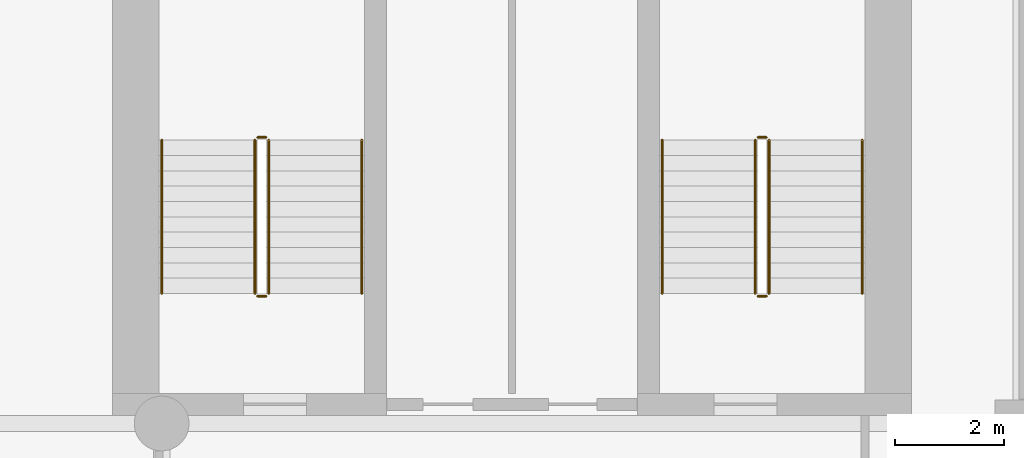
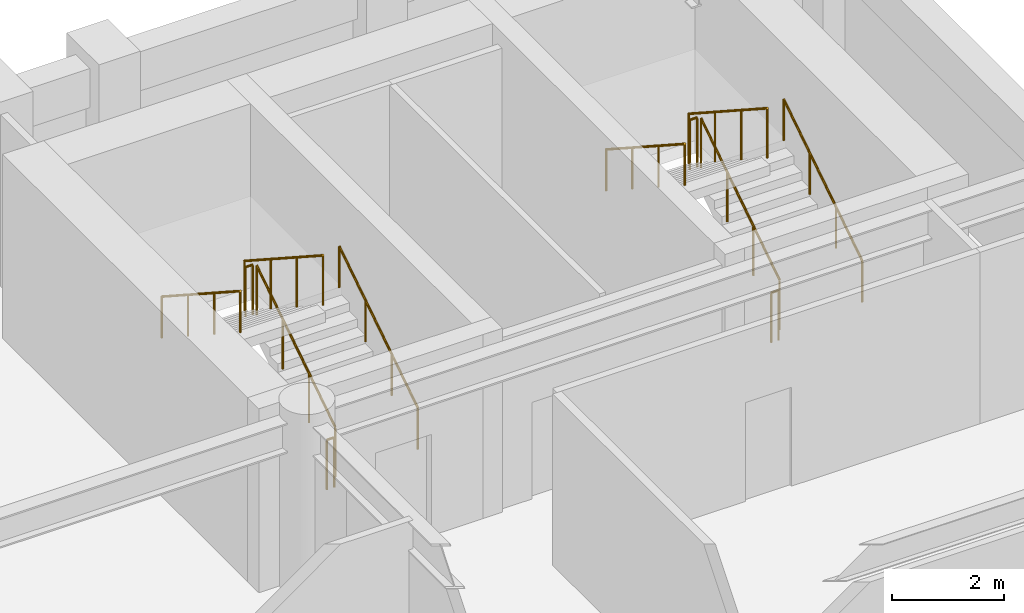
# One storey, part 9 of 9: 12 railings.
"""IFC4 building model written with IfcOpenShell, lengths in metres."""

from ifc_helpers import new_model, si_unit, direction, frame, origin, origin_2d, place, context, subcontext, project, spatial, circle, extrude, material, type_object, element, save


model = new_model("IFC4")

# Units and contexts
model_context = context("Model", 3, precision=1e-05, world=origin(), true_north=direction((0.0, 1.0)))
body_context = subcontext(model_context, "Body", "Model", "MODEL_VIEW")
ifc_project = project(units=[si_unit("LENGTHUNIT", "METRE"), si_unit("AREAUNIT", "SQUARE_METRE"), si_unit("VOLUMEUNIT", "CUBIC_METRE"), si_unit("PLANEANGLEUNIT", "RADIAN"), si_unit("MASSUNIT", "GRAM", prefix="KILO")], contexts=[model_context])

# Site, building, storey
site_placement = place(None, origin())
site = spatial("IfcSite", under=ifc_project, at=site_placement, CompositionType="ELEMENT")
building_placement = place(site_placement, origin())
building = spatial("IfcBuilding", under=site, at=building_placement, Name="Sulina Concourse Tower", CompositionType="ELEMENT")
storey_placement = place(building_placement, frame((0.0, 0.0, 96.60009765625)))
storey = spatial("IfcBuildingStorey", under=building, at=storey_placement, Name="L23", CompositionType="ELEMENT", Elevation=96.60009765625)

# Railings
ifc_material_1 = material(Name="Galvanised steel railing", Category="steel")
railing_type_1 = type_object("IfcRailingType", Name="Core Stair Steel Guardrail 1150mm", PredefinedType="GUARDRAIL", material=ifc_material_1)
railing_1_placement = place(storey_placement, frame((43.554931640625, 36.375, 0.181640625)))
element("IfcRailing", 1, at=railing_1_placement, inside=storey, type_object=railing_type_1, Name="L23 ST-3 stair guard 1", PredefinedType="GUARDRAIL", context=body_context, shape_type="SweptSolid", body=[
    extrude(circle(Radius=0.02392578125, at=origin_2d()), frame((0.0, 0.0, 1.076171875), z_axis=(0.0, 0.838672427954, 0.544636170843), x_axis=(-1.0, 0.0, 0.0)), (0.0, 0.0, 1.0), 3.338623046875),
    extrude(circle(Radius=0.02099609375, at=origin_2d()), origin(), (0.0, 0.0, 1.0), 1.052001953125),
    extrude(circle(Radius=0.02099609375, at=origin_2d()), frame((0.0, 0.933349609375, 0.606201171875)), (0.0, 0.0, 1.0), 1.052001953125),
    extrude(circle(Radius=0.02099609375, at=origin_2d()), frame((0.0, 1.86669921875, 1.212158203125)), (0.0, 0.0, 1.0), 1.052001953125),
    extrude(circle(Radius=0.02099609375, at=origin_2d()), frame((0.0, 2.800048828125, 1.818359375)), (0.0, 0.0, 1.0), 1.052001953125),
])
railing_2_placement = place(storey_placement, frame((43.5048828125, 39.22509765625, 2.0)))
element("IfcRailing", 2, at=railing_2_placement, inside=storey, type_object=railing_type_1, Name="L23 ST-3 stair guard 2", PredefinedType="GUARDRAIL", context=body_context, shape_type="SweptSolid", body=[
    extrude(circle(Radius=0.02392578125, at=origin_2d()), frame((0.0, 0.0, 1.076171875), z_axis=(-1.0, 0.0, 0.0), x_axis=(0.0, -1.0, 0.0)), (0.0, 0.0, 1.0), 0.14990234375),
    extrude(circle(Radius=0.02099609375, at=origin_2d()), origin(), (0.0, 0.0, 1.0), 1.052001953125),
    extrude(circle(Radius=0.02099609375, at=origin_2d()), frame((-0.14990234375, 0.0, 0.0)), (0.0, 0.0, 1.0), 1.052001953125),
])
railing_3_placement = place(storey_placement, frame((43.304931640625, 39.175048828125, 2.181640625)))
element("IfcRailing", 3, at=railing_3_placement, inside=storey, type_object=railing_type_1, Name="L23 ST-3 stair guard 3", PredefinedType="GUARDRAIL", context=body_context, shape_type="SweptSolid", body=[
    extrude(circle(Radius=0.02392578125, at=origin_2d()), frame((0.0, 0.0, 1.076171875), z_axis=(0.0, -0.838672427954, 0.544636170843), x_axis=(1.0, 0.0, 0.0)), (0.0, 0.0, 1.0), 3.338623046875),
    extrude(circle(Radius=0.02099609375, at=origin_2d()), origin(), (0.0, 0.0, 1.0), 1.052001953125),
    extrude(circle(Radius=0.02099609375, at=origin_2d()), frame((0.0, -0.933349609375, 0.606201171875)), (0.0, 0.0, 1.0), 1.052001953125),
    extrude(circle(Radius=0.02099609375, at=origin_2d()), frame((0.0, -1.86669921875, 1.212158203125)), (0.0, 0.0, 1.0), 1.052001953125),
    extrude(circle(Radius=0.02099609375, at=origin_2d()), frame((0.0, -2.800048828125, 1.818359375)), (0.0, 0.0, 1.0), 1.052001953125),
])
railing_4_placement = place(storey_placement, frame((43.5048828125, 36.324951171875, 0.0)))
element("IfcRailing", 4, at=railing_4_placement, inside=storey, type_object=railing_type_1, Name="L23 ST-3 stair guard 4", PredefinedType="GUARDRAIL", context=body_context, shape_type="SweptSolid", body=[
    extrude(circle(Radius=0.02392578125, at=origin_2d()), frame((0.0, 0.0, 1.076171875), z_axis=(-1.0, 0.0, 0.0), x_axis=(0.0, -1.0, 0.0)), (0.0, 0.0, 1.0), 0.14990234375),
    extrude(circle(Radius=0.02099609375, at=origin_2d()), origin(), (0.0, 0.0, 1.0), 1.052001953125),
    extrude(circle(Radius=0.02099609375, at=origin_2d()), frame((-0.14990234375, 0.0, 0.0)), (0.0, 0.0, 1.0), 1.052001953125),
])
railing_5_placement = place(storey_placement, frame((52.695068359375, 36.375, 0.181640625)))
element("IfcRailing", 5, at=railing_5_placement, inside=storey, type_object=railing_type_1, Name="L23 ST-4 stair guard 1", PredefinedType="GUARDRAIL", context=body_context, shape_type="SweptSolid", body=[
    extrude(circle(Radius=0.02392578125, at=origin_2d()), frame((0.0, 0.0, 1.076171875), z_axis=(0.0, 0.838672427954, 0.544636170843), x_axis=(-1.0, 0.0, 0.0)), (0.0, 0.0, 1.0), 3.338623046875),
    extrude(circle(Radius=0.02099609375, at=origin_2d()), origin(), (0.0, 0.0, 1.0), 1.052001953125),
    extrude(circle(Radius=0.02099609375, at=origin_2d()), frame((0.0, 0.933349609375, 0.606201171875)), (0.0, 0.0, 1.0), 1.052001953125),
    extrude(circle(Radius=0.02099609375, at=origin_2d()), frame((0.0, 1.86669921875, 1.212158203125)), (0.0, 0.0, 1.0), 1.052001953125),
    extrude(circle(Radius=0.02099609375, at=origin_2d()), frame((0.0, 2.800048828125, 1.818359375)), (0.0, 0.0, 1.0), 1.052001953125),
])
railing_6_placement = place(storey_placement, frame((52.64501953125, 39.22509765625, 2.0)))
element("IfcRailing", 6, at=railing_6_placement, inside=storey, type_object=railing_type_1, Name="L23 ST-4 stair guard 2", PredefinedType="GUARDRAIL", context=body_context, shape_type="SweptSolid", body=[
    extrude(circle(Radius=0.02392578125, at=origin_2d()), frame((0.0, 0.0, 1.076171875), z_axis=(-1.0, 0.0, 0.0), x_axis=(0.0, -1.0, 0.0)), (0.0, 0.0, 1.0), 0.14990234375),
    extrude(circle(Radius=0.02099609375, at=origin_2d()), origin(), (0.0, 0.0, 1.0), 1.052001953125),
    extrude(circle(Radius=0.02099609375, at=origin_2d()), frame((-0.14990234375, 0.0, 0.0)), (0.0, 0.0, 1.0), 1.052001953125),
])
railing_7_placement = place(storey_placement, frame((52.445068359375, 39.175048828125, 2.181640625)))
element("IfcRailing", 7, at=railing_7_placement, inside=storey, type_object=railing_type_1, Name="L23 ST-4 stair guard 3", PredefinedType="GUARDRAIL", context=body_context, shape_type="SweptSolid", body=[
    extrude(circle(Radius=0.02392578125, at=origin_2d()), frame((0.0, 0.0, 1.076171875), z_axis=(0.0, -0.838672427954, 0.544636170843), x_axis=(1.0, 0.0, 0.0)), (0.0, 0.0, 1.0), 3.338623046875),
    extrude(circle(Radius=0.02099609375, at=origin_2d()), origin(), (0.0, 0.0, 1.0), 1.052001953125),
    extrude(circle(Radius=0.02099609375, at=origin_2d()), frame((0.0, -0.933349609375, 0.606201171875)), (0.0, 0.0, 1.0), 1.052001953125),
    extrude(circle(Radius=0.02099609375, at=origin_2d()), frame((0.0, -1.86669921875, 1.212158203125)), (0.0, 0.0, 1.0), 1.052001953125),
    extrude(circle(Radius=0.02099609375, at=origin_2d()), frame((0.0, -2.800048828125, 1.818359375)), (0.0, 0.0, 1.0), 1.052001953125),
])
railing_8_placement = place(storey_placement, frame((52.64501953125, 36.324951171875, 0.0)))
element("IfcRailing", 8, at=railing_8_placement, inside=storey, type_object=railing_type_1, Name="L23 ST-4 stair guard 4", PredefinedType="GUARDRAIL", context=body_context, shape_type="SweptSolid", body=[
    extrude(circle(Radius=0.02392578125, at=origin_2d()), frame((0.0, 0.0, 1.076171875), z_axis=(-1.0, 0.0, 0.0), x_axis=(0.0, -1.0, 0.0)), (0.0, 0.0, 1.0), 0.14990234375),
    extrude(circle(Radius=0.02099609375, at=origin_2d()), origin(), (0.0, 0.0, 1.0), 1.052001953125),
    extrude(circle(Radius=0.02099609375, at=origin_2d()), frame((-0.14990234375, 0.0, 0.0)), (0.0, 0.0, 1.0), 1.052001953125),
])
ifc_material_2 = material(Name="Galvanised steel railing", Category="steel")
railing_type_2 = type_object("IfcRailingType", Name="Stair Wall Steel Handrail 920mm", PredefinedType="HANDRAIL", material=ifc_material_2)
railing_9_placement = place(storey_placement, frame((45.2548828125, 36.375, 0.181640625)))
element("IfcRailing", 9, at=railing_9_placement, inside=storey, type_object=railing_type_2, Name="L23 ST-3 stair handrail 1", PredefinedType="HANDRAIL", context=body_context, shape_type="SweptSolid", body=[
    extrude(circle(Radius=0.02392578125, at=origin_2d()), frame((0.0, 0.0, 0.89599609375), z_axis=(0.0, 0.838672427954, 0.544636170843), x_axis=(-1.0, 0.0, 0.0)), (0.0, 0.0, 1.0), 3.338623046875),
    extrude(circle(Radius=0.02099609375, at=origin_2d()), origin(), (0.0, 0.0, 1.0), 0.871826171875),
    extrude(circle(Radius=0.02099609375, at=origin_2d()), frame((0.0, 0.933349609375, 0.606201171875)), (0.0, 0.0, 1.0), 0.871826171875),
    extrude(circle(Radius=0.02099609375, at=origin_2d()), frame((0.0, 1.86669921875, 1.212158203125)), (0.0, 0.0, 1.0), 0.871826171875),
    extrude(circle(Radius=0.02099609375, at=origin_2d()), frame((0.0, 2.800048828125, 1.818359375)), (0.0, 0.0, 1.0), 0.871826171875),
])
railing_10_placement = place(storey_placement, frame((41.60498046875, 39.175048828125, 2.181640625)))
element("IfcRailing", 10, at=railing_10_placement, inside=storey, type_object=railing_type_2, Name="L23 ST-3 stair handrail 2", PredefinedType="HANDRAIL", context=body_context, shape_type="SweptSolid", body=[
    extrude(circle(Radius=0.02392578125, at=origin_2d()), frame((0.0, 0.0, 0.89599609375), z_axis=(0.0, -0.838672427954, 0.544636170843), x_axis=(1.0, 0.0, 0.0)), (0.0, 0.0, 1.0), 3.338623046875),
    extrude(circle(Radius=0.02099609375, at=origin_2d()), origin(), (0.0, 0.0, 1.0), 0.871826171875),
    extrude(circle(Radius=0.02099609375, at=origin_2d()), frame((0.0, -0.933349609375, 0.606201171875)), (0.0, 0.0, 1.0), 0.871826171875),
    extrude(circle(Radius=0.02099609375, at=origin_2d()), frame((0.0, -1.86669921875, 1.212158203125)), (0.0, 0.0, 1.0), 0.871826171875),
    extrude(circle(Radius=0.02099609375, at=origin_2d()), frame((0.0, -2.800048828125, 1.818359375)), (0.0, 0.0, 1.0), 0.871826171875),
])
railing_11_placement = place(storey_placement, frame((54.39501953125, 36.375, 0.181640625)))
element("IfcRailing", 11, at=railing_11_placement, inside=storey, type_object=railing_type_2, Name="L23 ST-4 stair handrail 1", PredefinedType="HANDRAIL", context=body_context, shape_type="SweptSolid", body=[
    extrude(circle(Radius=0.02392578125, at=origin_2d()), frame((0.0, 0.0, 0.89599609375), z_axis=(0.0, 0.838672427954, 0.544636170843), x_axis=(-1.0, 0.0, 0.0)), (0.0, 0.0, 1.0), 3.338623046875),
    extrude(circle(Radius=0.02099609375, at=origin_2d()), origin(), (0.0, 0.0, 1.0), 0.871826171875),
    extrude(circle(Radius=0.02099609375, at=origin_2d()), frame((0.0, 0.933349609375, 0.606201171875)), (0.0, 0.0, 1.0), 0.871826171875),
    extrude(circle(Radius=0.02099609375, at=origin_2d()), frame((0.0, 1.86669921875, 1.212158203125)), (0.0, 0.0, 1.0), 0.871826171875),
    extrude(circle(Radius=0.02099609375, at=origin_2d()), frame((0.0, 2.800048828125, 1.818359375)), (0.0, 0.0, 1.0), 0.871826171875),
])
railing_12_placement = place(storey_placement, frame((50.7451171875, 39.175048828125, 2.181640625)))
element("IfcRailing", 12, at=railing_12_placement, inside=storey, type_object=railing_type_2, Name="L23 ST-4 stair handrail 2", PredefinedType="HANDRAIL", context=body_context, shape_type="SweptSolid", body=[
    extrude(circle(Radius=0.02392578125, at=origin_2d()), frame((0.0, 0.0, 0.89599609375), z_axis=(0.0, -0.838672427954, 0.544636170843), x_axis=(1.0, 0.0, 0.0)), (0.0, 0.0, 1.0), 3.338623046875),
    extrude(circle(Radius=0.02099609375, at=origin_2d()), origin(), (0.0, 0.0, 1.0), 0.871826171875),
    extrude(circle(Radius=0.02099609375, at=origin_2d()), frame((0.0, -0.933349609375, 0.606201171875)), (0.0, 0.0, 1.0), 0.871826171875),
    extrude(circle(Radius=0.02099609375, at=origin_2d()), frame((0.0, -1.86669921875, 1.212158203125)), (0.0, 0.0, 1.0), 0.871826171875),
    extrude(circle(Radius=0.02099609375, at=origin_2d()), frame((0.0, -2.800048828125, 1.818359375)), (0.0, 0.0, 1.0), 0.871826171875),
])

save(model, "model.ifc")
